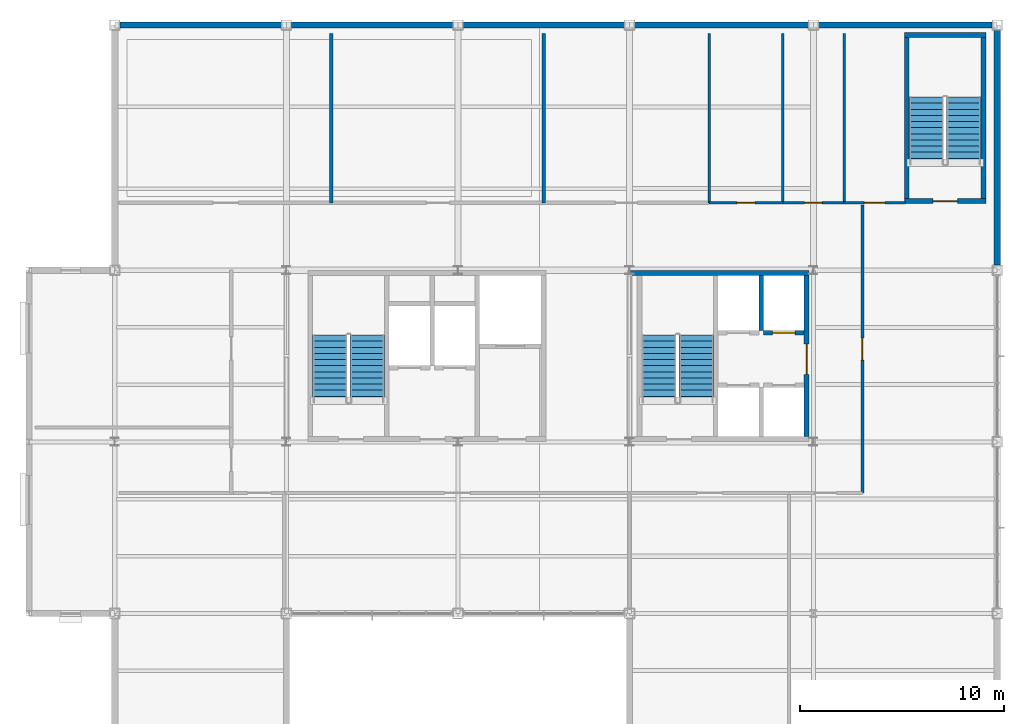
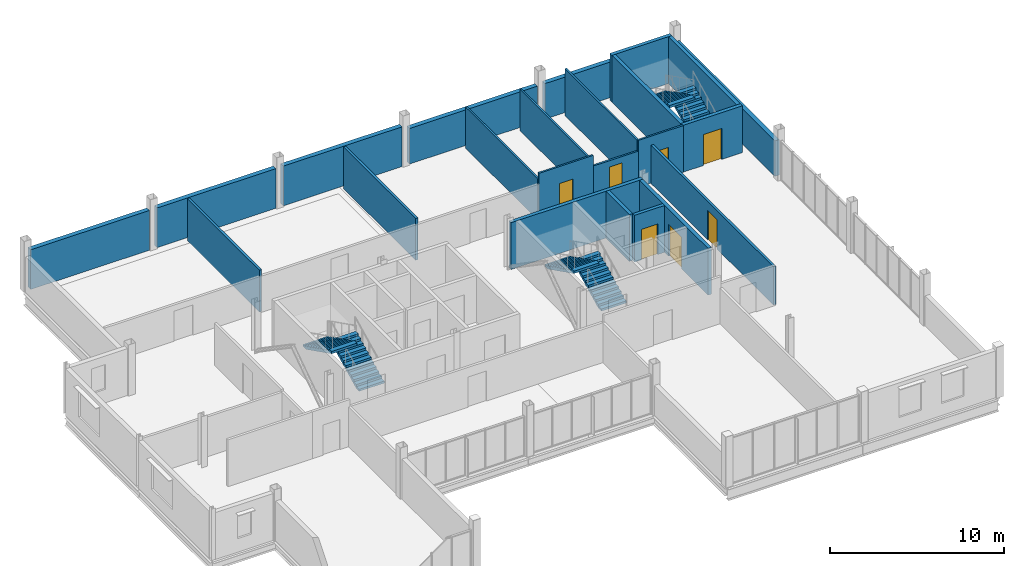
# One storey, part 16 of 19: 23 walls, 7 doors, 6 stair flights, 7 openings, 3 elements without a shape of their own.
"""IFC4 building model written with IfcOpenShell, lengths in metres."""

from ifc_helpers import new_model, si_unit, direction, frame, frame_2d, origin, place, context, subcontext, project, spatial, polyline, rectangle, outline, extrude, material, layer, layer_set, type_object, element, fill, aggregate, save


model = new_model("IFC4")

# Units and contexts
model_context = context("Model", 3, precision=1e-05, world=origin(), true_north=direction((0.0, 1.0)))
body_context = subcontext(model_context, "Body", "Model", "MODEL_VIEW")
ifc_project = project(units=[si_unit("LENGTHUNIT", "METRE"), si_unit("AREAUNIT", "SQUARE_METRE"), si_unit("VOLUMEUNIT", "CUBIC_METRE"), si_unit("PLANEANGLEUNIT", "RADIAN"), si_unit("MASSUNIT", "GRAM", prefix="KILO")], contexts=[model_context])

# Site, building, storey
site_placement = place(None, origin())
site = spatial("IfcSite", under=ifc_project, at=site_placement, CompositionType="ELEMENT")
building_placement = place(site_placement, origin())
building = spatial("IfcBuilding", under=site, at=building_placement, Name="Yukiwa Park Conservatory and Herbarium", CompositionType="ELEMENT")
storey_placement = place(building_placement, frame((0.0, 0.0, 31.800048828125)))
storey = spatial("IfcBuildingStorey", under=building, at=storey_placement, Name="L08", CompositionType="ELEMENT", Elevation=31.800048828125)

# Wall
ifc_material_1 = material(Name="Concrete C40", Category="concrete")
ifc_layer_1 = layer(ifc_material_1, 0.219970703125)
ifc_layer_set_1 = layer_set([ifc_layer_1], Name="Concrete C40")
wall_type_1 = type_object("IfcWallType", Name="WL-CORE-RC220", PredefinedType="SHEAR", material=ifc_layer_set_1)
wall_1_placement = place(storey_placement, frame((156.43994140625, 100.25, 0.0), z_axis=(0.0, 0.0, 1.0), x_axis=(0.0, 1.0, 0.0)))
element("IfcWall", 1, at=wall_1_placement, inside=storey, type_object=wall_type_1, Name="L08 core shear wall 537", PredefinedType="SHEAR", context=body_context, shape_type="SweptSolid", body=[
    extrude(rectangle(XDim=2.699951171875, YDim=0.219970703125, at=frame_2d((1.35009765625, 0.0))), origin(), (0.0, 0.0, 1.0), 3.294921875),
])

# Wall, opening, door
wall_2_placement = place(storey_placement, frame((156.550048828125, 100.139892578125, 0.0), z_axis=(0.0, 0.0, 1.0), x_axis=(1.0, 0.0, 0.0)))
wall_2 = element("IfcWall", 2, at=wall_2_placement, inside=storey, type_object=wall_type_1, Name="L08 core shear wall 539", PredefinedType="SHEAR", context=body_context, shape_type="SweptSolid", body=[
    extrude(rectangle(XDim=2.0, YDim=0.219970703125, at=frame_2d((1.0, 0.0))), origin(), (0.0, 0.0, 1.0), 3.294921875),
])
opening_1_placement = place(wall_2_placement, frame((0.449951171875, 0.0, 0.0)))
opening_1 = element("IfcOpeningElement", 3, at=opening_1_placement, cuts=wall_2, Name="Opening LD-01", PredefinedType="OPENING", context=body_context, shape_type="SweptSolid", body=[
    extrude(rectangle(XDim=1.10009765625, YDim=2.14990234375, at=frame_2d((0.550048828125, 1.074951171875))), frame((0.0, 0.1201171875, 0.0), z_axis=(0.0, -1.0, 0.0), x_axis=(1.0, 0.0, 0.0)), (0.0, 0.0, 1.0), 0.239990234375),
])
ifc_material_2 = material(Name="Steel Q235B", Category="steel")
door_type_1 = type_object("IfcDoorType", Name="DR-LIFT-LD1100", OperationType="SLIDING_TO_LEFT", PredefinedType="DOOR", material=ifc_material_2)
door_1_placement = place(opening_1_placement, origin())
door_1 = element("IfcDoor", 4, at=door_1_placement, inside=storey, type_object=door_type_1, Name="L08 Passenger Lift LP2 sliding landing door", OperationType="SLIDING_TO_LEFT", OverallHeight=2.14990234375, OverallWidth=1.10009765625, PredefinedType="DOOR", context=body_context, shape_type="SweptSolid", body=[
    extrude(rectangle(XDim=1.10009765625, YDim=2.14990234375, at=frame_2d((0.550048828125, 1.074951171875))), frame((0.0, 0.02490234375, 0.0), z_axis=(0.0, -1.0, 0.0), x_axis=(1.0, 0.0, 0.0)), (0.0, 0.0, 1.0), 0.050048828125),
])
fill(opening_1, door_1)

# Wall
ifc_material_3 = material(Name="Concrete C50", Category="concrete")
ifc_layer_2 = layer(ifc_material_3, 0.239990234375)
ifc_layer_set_2 = layer_set([ifc_layer_2], Name="Concrete C50")
wall_type_2 = type_object("IfcWallType", Name="WL-CORE-RC240", PredefinedType="SHEAR", material=ifc_layer_set_2)
wall_3_placement = place(storey_placement, frame((150.02001953125, 103.070068359375, 0.0), z_axis=(0.0, 0.0, 1.0), x_axis=(1.0, 0.0, 0.0)))
element("IfcWall", 5, at=wall_3_placement, inside=storey, type_object=wall_type_2, Name="L08 core shear wall 533", PredefinedType="SHEAR", context=body_context, shape_type="SweptSolid", body=[
    extrude(rectangle(XDim=8.77001953125, YDim=0.239990234375, at=frame_2d((4.385009765625, 0.0))), origin(), (0.0, 0.0, 1.0), 3.294921875),
])

# Wall, opening, door
wall_4_placement = place(storey_placement, frame((158.669921875, 95.050048828125, 0.0), z_axis=(0.0, 0.0, 1.0), x_axis=(0.0, 1.0, 0.0)))
wall_4 = element("IfcWall", 6, at=wall_4_placement, inside=storey, type_object=wall_type_2, Name="L08 core shear wall 536", PredefinedType="SHEAR", context=body_context, shape_type="SweptSolid", body=[
    extrude(rectangle(XDim=7.89990234375, YDim=0.239990234375, at=frame_2d((3.949951171875, 0.0))), origin(), (0.0, 0.0, 1.0), 3.294921875),
])
opening_2_placement = place(wall_4_placement, frame((3.050048828125, 0.0, 0.0)))
opening_2 = element("IfcOpeningElement", 7, at=opening_2_placement, cuts=wall_4, Name="Opening FD-07", PredefinedType="OPENING", context=body_context, shape_type="SweptSolid", body=[
    extrude(rectangle(XDim=1.47998046875, YDim=2.219970703125, at=frame_2d((0.739990234375, 1.10986328125))), frame((0.0, 0.1298828125, 0.0), z_axis=(0.0, -1.0, 0.0), x_axis=(1.0, 0.0, 0.0)), (0.0, 0.0, 1.0), 0.260009765625),
])
ifc_material_4 = material(Name="Steel Q235B", Category="steel")
door_type_2 = type_object("IfcDoorType", Name="DR-FIRE-FD60-1500", OperationType="DOUBLE_DOOR_SINGLE_SWING", PredefinedType="DOOR", material=ifc_material_4)
door_2_placement = place(opening_2_placement, origin())
door_2 = element("IfcDoor", 8, at=door_2_placement, inside=storey, type_object=door_type_2, Name="L08 Tower Passenger Lift Lobby double fire door", OperationType="DOUBLE_DOOR_SINGLE_SWING", OverallHeight=2.219970703125, OverallWidth=1.47998046875, PredefinedType="DOOR", context=body_context, shape_type="SweptSolid", body=[
    extrude(rectangle(XDim=1.47998046875, YDim=2.219970703125, at=frame_2d((0.739990234375, 1.10986328125))), frame((0.0, 0.02490234375, 0.0), z_axis=(0.0, -1.0, 0.0), x_axis=(1.0, 0.0, 0.0)), (0.0, 0.0, 1.0), 0.050048828125),
])
fill(opening_2, door_2)

wall_5_placement = place(storey_placement, frame((163.449951171875, 106.580078125, 0.0), z_axis=(0.0, 0.0, 1.0), x_axis=(1.0, 0.0, 0.0)))
wall_5 = element("IfcWall", 9, at=wall_5_placement, inside=storey, type_object=wall_type_2, Name="L08 core shear wall 543", PredefinedType="SHEAR", context=body_context, shape_type="SweptSolid", body=[
    extrude(rectangle(XDim=3.989990234375, YDim=0.239990234375, at=frame_2d((1.9951171875, 0.0))), origin(), (0.0, 0.0, 1.0), 3.294921875),
])
opening_3_placement = place(wall_5_placement, frame((1.39501953125, 0.0, 0.0)))
opening_3 = element("IfcOpeningElement", 10, at=opening_3_placement, cuts=wall_5, Name="Opening SD-01", PredefinedType="OPENING", context=body_context, shape_type="SweptSolid", body=[
    extrude(rectangle(XDim=1.219970703125, YDim=2.179931640625, at=frame_2d((0.60986328125, 1.08984375))), frame((0.0, 0.1298828125, 0.0), z_axis=(0.0, -1.0, 0.0), x_axis=(1.0, 0.0, 0.0)), (0.0, 0.0, 1.0), 0.260009765625),
])
ifc_material_5 = material(Name="Steel Q235B", Category="steel")
door_type_3 = type_object("IfcDoorType", Name="DR-STAIR-FD90-1200", OperationType="SINGLE_SWING_LEFT", PredefinedType="DOOR", material=ifc_material_5)
door_3_placement = place(opening_3_placement, origin())
door_3 = element("IfcDoor", 11, at=door_3_placement, inside=storey, type_object=door_type_3, Name="L08 Stairwell ST-T3 fire door", OperationType="SINGLE_SWING_LEFT", OverallHeight=2.179931640625, OverallWidth=1.219970703125, PredefinedType="DOOR", context=body_context, shape_type="SweptSolid", body=[
    extrude(rectangle(XDim=1.219970703125, YDim=2.179931640625, at=frame_2d((0.60986328125, 1.08984375))), frame((0.0, 0.02490234375, 0.0), z_axis=(0.0, -1.0, 0.0), x_axis=(1.0, 0.0, 0.0)), (0.0, 0.0, 1.0), 0.050048828125),
])
fill(opening_3, door_3)

# Walls
wall_6_placement = place(storey_placement, frame((163.449951171875, 114.719970703125, 0.0), z_axis=(0.0, 0.0, 1.0), x_axis=(1.0, 0.0, 0.0)))
element("IfcWall", 12, at=wall_6_placement, inside=storey, type_object=wall_type_2, Name="L08 core shear wall 544", PredefinedType="SHEAR", context=body_context, shape_type="SweptSolid", body=[
    extrude(rectangle(XDim=3.989990234375, YDim=0.239990234375, at=frame_2d((1.9951171875, 0.0))), origin(), (0.0, 0.0, 1.0), 3.294921875),
])
for number, where, z_axis, x_axis, name in (
    (13, (163.570068359375, 106.699951171875, 0.0), (0.0, 0.0, 1.0), (0.0, 1.0, 0.0), "L08 core shear wall 545"),
    (14, (167.320068359375, 106.699951171875, 0.0), (0.0, 0.0, 1.0), (0.0, 1.0, 0.0), "L08 core shear wall 546"),
):
    element("IfcWall", number, at=place(storey_placement, frame(where, z_axis=z_axis, x_axis=x_axis)), inside=storey, type_object=wall_type_2, Name=name, PredefinedType="SHEAR", context=body_context, shape_type="SweptSolid", body=[
        extrude(rectangle(XDim=7.900146484375, YDim=0.239990234375, at=frame_2d((3.9501953125, 0.0))), origin(), (0.0, 0.0, 1.0), 3.294921875),
    ])
ifc_material_6 = material(Name="Pale Granite Cladding", Category="masonry")
ifc_layer_3 = layer(ifc_material_6, 0.300048828125)
ifc_layer_set_3 = layer_set([ifc_layer_3], Name="Pale Granite Cladding")
wall_type_3 = type_object("IfcWallType", Name="WL-EXT-GRAN-300", PredefinedType="SOLIDWALL", material=ifc_layer_set_3)
wall_7_placement = place(storey_placement, frame((168.0, 103.449951171875, 0.0), z_axis=(0.0, 0.0, 1.0), x_axis=(0.0, 1.0, 0.0)))
element("IfcWall", 15, at=wall_7_placement, inside=storey, type_object=wall_type_3, Name="L08 exterior envelope wall 325", PredefinedType="SOLIDWALL", context=body_context, shape_type="SweptSolid", body=[
    extrude(rectangle(XDim=11.5, YDim=0.300048828125, at=frame_2d((5.75, 0.0))), origin(), (0.0, 0.0, 1.0), 2.5029296875),
])
for number, where, z_axis, x_axis, name in (
    (16, (167.75, 115.199951171875, 0.0), (0.0, 0.0, 1.0), (-1.0, 0.0, 0.0), "L08 exterior envelope wall 326"),
    (17, (158.75, 115.199951171875, 0.0), (0.0, 0.0, 1.0), (-1.0, 0.0, 0.0), "L08 exterior envelope wall 327"),
):
    element("IfcWall", number, at=place(storey_placement, frame(where, z_axis=z_axis, x_axis=x_axis)), inside=storey, type_object=wall_type_3, Name=name, PredefinedType="SOLIDWALL", context=body_context, shape_type="SweptSolid", body=[
        extrude(rectangle(XDim=8.5, YDim=0.300048828125, at=frame_2d((4.25, 0.0))), origin(), (0.0, 0.0, 1.0), 2.5029296875),
    ])
wall_8_placement = place(storey_placement, frame((149.75, 115.199951171875, 0.0), z_axis=(0.0, 0.0, 1.0), x_axis=(-1.0, 0.0, 0.0)))
element("IfcWall", 18, at=wall_8_placement, inside=storey, type_object=wall_type_3, Name="L08 exterior envelope wall 328", PredefinedType="SOLIDWALL", context=body_context, shape_type="SweptSolid", body=[
    extrude(rectangle(XDim=7.89990234375, YDim=0.300048828125, at=frame_2d((3.949951171875, 0.0))), origin(), (0.0, 0.0, 1.0), 2.794921875),
])
wall_9_placement = place(storey_placement, frame((141.35009765625, 115.199951171875, 0.0), z_axis=(0.0, 0.0, 1.0), x_axis=(-1.0, 0.0, 0.0)))
element("IfcWall", 19, at=wall_9_placement, inside=storey, type_object=wall_type_3, Name="L08 exterior envelope wall 329", PredefinedType="SOLIDWALL", context=body_context, shape_type="SweptSolid", body=[
    extrude(rectangle(XDim=7.900146484375, YDim=0.300048828125, at=frame_2d((3.9501953125, 0.0))), origin(), (0.0, 0.0, 1.0), 2.794921875),
])
wall_10_placement = place(storey_placement, frame((132.949951171875, 115.199951171875, 0.0), z_axis=(0.0, 0.0, 1.0), x_axis=(-1.0, 0.0, 0.0)))
element("IfcWall", 20, at=wall_10_placement, inside=storey, type_object=wall_type_3, Name="L08 exterior envelope wall 330", PredefinedType="SOLIDWALL", context=body_context, shape_type="SweptSolid", body=[
    extrude(rectangle(XDim=7.89990234375, YDim=0.300048828125, at=frame_2d((3.949951171875, 0.0))), origin(), (0.0, 0.0, 1.0), 2.794921875),
])

# Wall, opening, door
ifc_material_7 = material(Name="Gypsum Board Partition", Category="gypsum")
ifc_layer_4 = layer(ifc_material_7, 0.159912109375)
ifc_layer_set_4 = layer_set([ifc_layer_4], Name="Gypsum Board Partition")
wall_type_4 = type_object("IfcWallType", Name="WL-PART-GYP-160", PredefinedType="PARTITIONING", material=ifc_layer_set_4)
wall_11_placement = place(storey_placement, frame((161.39990234375, 92.300048828125, 0.0), z_axis=(0.0, 0.0, 1.0), x_axis=(0.0, 1.0, 0.0)))
wall_11 = element("IfcWall", 21, at=wall_11_placement, inside=storey, type_object=wall_type_4, Name="L08 interior partition wall 553", PredefinedType="PARTITIONING", context=body_context, shape_type="SweptSolid", body=[
    extrude(rectangle(XDim=14.099853515625, YDim=0.159912109375, at=frame_2d((7.0498046875, 0.0))), origin(), (0.0, 0.0, 1.0), 2.695068359375),
])
opening_4_placement = place(wall_11_placement, frame((6.5, 0.0, 0.0)))
opening_4 = element("IfcOpeningElement", 22, at=opening_4_placement, cuts=wall_11, Name="Opening ID-11", PredefinedType="OPENING", context=body_context, shape_type="SweptSolid", body=[
    extrude(rectangle(XDim=1.080078125, YDim=2.080078125, at=frame_2d((0.5400390625, 1.0400390625))), frame((0.0, 0.08984375, 0.0), z_axis=(0.0, -1.0, 0.0), x_axis=(1.0, 0.0, 0.0)), (0.0, 0.0, 1.0), 0.179931640625),
])
ifc_material_8 = material(Name="Charred Larch Cladding", Category="wood")
door_type_4 = type_object("IfcDoorType", Name="DR-INT-1100", OperationType="SINGLE_SWING_RIGHT", PredefinedType="DOOR", material=ifc_material_8)
door_4_placement = place(opening_4_placement, origin())
door_4 = element("IfcDoor", 23, at=door_4_placement, inside=storey, type_object=door_type_4, Name="L08 L08 east room door", OperationType="SINGLE_SWING_RIGHT", OverallHeight=2.080078125, OverallWidth=1.080078125, PredefinedType="DOOR", context=body_context, shape_type="SweptSolid", body=[
    extrude(rectangle(XDim=1.080078125, YDim=2.080078125, at=frame_2d((0.5400390625, 1.0400390625))), frame((0.0, 0.02490234375, 0.0), z_axis=(0.0, -1.0, 0.0), x_axis=(1.0, 0.0, 0.0)), (0.0, 0.0, 1.0), 0.050048828125),
])
fill(opening_4, door_4)

# Walls
for number, where, z_axis, x_axis, name in (
    (24, (135.39990234375, 106.5, 0.0), (0.0, 0.0, 1.0), (0.0, 1.0, 0.0), "L08 interior partition wall 568"),
    (25, (145.800048828125, 106.5, 0.0), (0.0, 0.0, 1.0), (0.0, 1.0, 0.0), "L08 interior partition wall 569"),
):
    element("IfcWall", number, at=place(storey_placement, frame(where, z_axis=z_axis, x_axis=x_axis)), inside=storey, type_object=wall_type_4, Name=name, PredefinedType="PARTITIONING", context=body_context, shape_type="SweptSolid", body=[
        extrude(rectangle(XDim=8.300048828125, YDim=0.159912109375, at=frame_2d((4.14990234375, 0.0))), origin(), (0.0, 0.0, 1.0), 2.945068359375),
    ])

# Wall, opening, door
ifc_material_9 = material(Name="Gypsum Board Partition", Category="gypsum")
ifc_layer_5 = layer(ifc_material_9, 0.1201171875)
ifc_layer_set_5 = layer_set([ifc_layer_5], Name="Gypsum Board Partition")
wall_type_5 = type_object("IfcWallType", Name="WL-PART-WET-150", PredefinedType="PARTITIONING", material=ifc_layer_set_5)
wall_12_placement = place(storey_placement, frame((153.89990234375, 106.5, 0.0), z_axis=(0.0, 0.0, 1.0), x_axis=(1.0, 0.0, 0.0)))
wall_12 = element("IfcWall", 26, at=wall_12_placement, inside=storey, type_object=wall_type_5, Name="L08 interior partition wall 547", PredefinedType="PARTITIONING", context=body_context, shape_type="SweptSolid", body=[
    extrude(rectangle(XDim=3.60009765625, YDim=0.1201171875, at=frame_2d((1.800048828125, 0.0))), origin(), (0.0, 0.0, 1.0), 3.294921875),
])
opening_5_placement = place(wall_12_placement, frame((1.35009765625, 0.0, 0.0)))
opening_5 = element("IfcOpeningElement", 27, at=opening_5_placement, cuts=wall_12, Name="Opening ID-09", PredefinedType="OPENING", context=body_context, shape_type="SweptSolid", body=[
    extrude(rectangle(XDim=0.89990234375, YDim=2.10009765625, at=frame_2d((0.449951171875, 1.050048828125))), frame((0.0, 0.070068359375, 0.0), z_axis=(0.0, -1.0, 0.0), x_axis=(1.0, 0.0, 0.0)), (0.0, 0.0, 1.0), 0.14013671875),
])
ifc_material_10 = material(Name="Charred Larch Cladding", Category="wood")
door_type_5 = type_object("IfcDoorType", Name="DR-INT-900", OperationType="SINGLE_SWING_LEFT", PredefinedType="DOOR", material=ifc_material_10)
door_5_placement = place(opening_5_placement, origin())
door_5 = element("IfcDoor", 28, at=door_5_placement, inside=storey, type_object=door_type_5, Name="L08 Public WC door", OperationType="SINGLE_SWING_LEFT", OverallHeight=2.10009765625, OverallWidth=0.89990234375, PredefinedType="DOOR", context=body_context, shape_type="SweptSolid", body=[
    extrude(rectangle(XDim=0.89990234375, YDim=2.10009765625, at=frame_2d((0.449951171875, 1.050048828125))), frame((0.0, 0.02490234375, 0.0), z_axis=(0.0, -1.0, 0.0), x_axis=(1.0, 0.0, 0.0)), (0.0, 0.0, 1.0), 0.050048828125),
])
fill(opening_5, door_5)

wall_13_placement = place(storey_placement, frame((157.5, 106.5, 0.0), z_axis=(0.0, 0.0, 1.0), x_axis=(1.0, 0.0, 0.0)))
wall_13 = element("IfcWall", 29, at=wall_13_placement, inside=storey, type_object=wall_type_5, Name="L08 interior partition wall 548", PredefinedType="PARTITIONING", context=body_context, shape_type="SweptSolid", body=[
    extrude(rectangle(XDim=3.0, YDim=0.1201171875, at=frame_2d((1.5, 0.0))), origin(), (0.0, 0.0, 1.0), 2.544921875),
])
opening_6_placement = place(wall_13_placement, frame((1.074951171875, 0.0, 0.0)))
opening_6 = element("IfcOpeningElement", 30, at=opening_6_placement, cuts=wall_13, Name="Opening ID-85", PredefinedType="OPENING", context=body_context, shape_type="SweptSolid", body=[
    extrude(rectangle(XDim=0.85009765625, YDim=2.10009765625, at=frame_2d((0.425048828125, 1.050048828125))), frame((0.0, 0.070068359375, 0.0), z_axis=(0.0, -1.0, 0.0), x_axis=(1.0, 0.0, 0.0)), (0.0, 0.0, 1.0), 0.14013671875),
])
ifc_material_11 = material(Name="Charred Larch Cladding", Category="wood")
door_type_6 = type_object("IfcDoorType", Name="DR-INT-850", OperationType="SINGLE_SWING_RIGHT", PredefinedType="DOOR", material=ifc_material_11)
door_6_placement = place(opening_6_placement, origin())
door_6 = element("IfcDoor", 31, at=door_6_placement, inside=storey, type_object=door_type_6, Name="L08 Staff WC door", OperationType="SINGLE_SWING_RIGHT", OverallHeight=2.10009765625, OverallWidth=0.85009765625, PredefinedType="DOOR", context=body_context, shape_type="SweptSolid", body=[
    extrude(rectangle(XDim=0.85009765625, YDim=2.10009765625, at=frame_2d((0.425048828125, 1.050048828125))), frame((0.0, 0.02490234375, 0.0), z_axis=(0.0, -1.0, 0.0), x_axis=(1.0, 0.0, 0.0)), (0.0, 0.0, 1.0), 0.050048828125),
])
fill(opening_6, door_6)

wall_14_placement = place(storey_placement, frame((160.5, 106.5, 0.0), z_axis=(0.0, 0.0, 1.0), x_axis=(1.0, 0.0, 0.0)))
wall_14 = element("IfcWall", 32, at=wall_14_placement, inside=storey, type_object=wall_type_5, Name="L08 interior partition wall 549", PredefinedType="PARTITIONING", context=body_context, shape_type="SweptSolid", body=[
    extrude(rectangle(XDim=3.0, YDim=0.1201171875, at=frame_2d((1.5, 0.0))), origin(), (0.0, 0.0, 1.0), 3.294921875),
])
opening_7_placement = place(wall_14_placement, frame((1.0, 0.0, 0.0)))
opening_7 = element("IfcOpeningElement", 33, at=opening_7_placement, cuts=wall_14, Name="Opening ID-10", PredefinedType="OPENING", context=body_context, shape_type="SweptSolid", body=[
    extrude(rectangle(XDim=1.0, YDim=2.10009765625, at=frame_2d((0.5, 1.050048828125))), frame((0.0, 0.070068359375, 0.0), z_axis=(0.0, -1.0, 0.0), x_axis=(1.0, 0.0, 0.0)), (0.0, 0.0, 1.0), 0.14013671875),
])
ifc_material_12 = material(Name="Charred Larch Cladding", Category="wood")
door_type_7 = type_object("IfcDoorType", Name="DR-ACC-1000", OperationType="SINGLE_SWING_LEFT", PredefinedType="DOOR", material=ifc_material_12)
door_7_placement = place(opening_7_placement, origin())
door_7 = element("IfcDoor", 34, at=door_7_placement, inside=storey, type_object=door_type_7, Name="L08 Accessible WC door", OperationType="SINGLE_SWING_LEFT", OverallHeight=2.10009765625, OverallWidth=1.0, PredefinedType="DOOR", context=body_context, shape_type="SweptSolid", body=[
    extrude(rectangle(XDim=1.0, YDim=2.10009765625, at=frame_2d((0.5, 1.050048828125))), frame((0.0, 0.02490234375, 0.0), z_axis=(0.0, -1.0, 0.0), x_axis=(1.0, 0.0, 0.0)), (0.0, 0.0, 1.0), 0.050048828125),
])
fill(opening_7, door_7)

# Walls
for number, where, z_axis, x_axis, name in (
    (35, (153.89990234375, 106.5, 0.0), (0.0, 0.0, 1.0), (0.0, 1.0, 0.0), "L08 interior partition wall 550"),
    (36, (157.5, 106.5, 0.0), (0.0, 0.0, 1.0), (0.0, 1.0, 0.0), "L08 interior partition wall 551"),
):
    element("IfcWall", number, at=place(storey_placement, frame(where, z_axis=z_axis, x_axis=x_axis)), inside=storey, type_object=wall_type_5, Name=name, PredefinedType="PARTITIONING", context=body_context, shape_type="SweptSolid", body=[
        extrude(rectangle(XDim=8.300048828125, YDim=0.1201171875, at=frame_2d((4.14990234375, 0.0))), origin(), (0.0, 0.0, 1.0), 2.89501953125),
    ])
wall_15_placement = place(storey_placement, frame((160.5, 106.5, 0.0), z_axis=(0.0, 0.0, 1.0), x_axis=(0.0, 1.0, 0.0)))
element("IfcWall", 37, at=wall_15_placement, inside=storey, type_object=wall_type_5, Name="L08 interior partition wall 552", PredefinedType="PARTITIONING", context=body_context, shape_type="SweptSolid", body=[
    extrude(rectangle(XDim=8.300048828125, YDim=0.1201171875, at=frame_2d((4.14990234375, 0.0))), origin(), (0.0, 0.0, 1.0), 3.294921875),
])

# Stair, stair flights
ifc_material_13 = material(Name="Concrete C40", Category="concrete")
stair_type_1 = type_object("IfcStairType", Name="ST-DOGLEG-ST-T1", PredefinedType="HALF_TURN_STAIR", material=ifc_material_13)
stair_1_placement = place(storey_placement, origin())
stair_1 = element("IfcStair", 38, at=stair_1_placement, inside=storey, type_object=stair_type_1, Name="L08 Protected Smoke-Proof Stair ST-T1", PredefinedType="HALF_TURN_STAIR")
ifc_material_14 = material(Name="Concrete C40", Category="concrete")
stair_flight_type = type_object("IfcStairFlightType", Name="STF-RC-1680", PredefinedType="STRAIGHT", material=ifc_material_14)
stair_flight_1_placement = place(storey_placement, frame((137.159912109375, 96.72998046875, 0.0), z_axis=(0.0, 0.0, 1.0), x_axis=(0.0, 1.0, 0.0)))
stair_flight_1 = element("IfcStairFlight", 39, at=stair_flight_1_placement, type_object=stair_flight_type, Name="ST-T1 flight 1", NumberOfRisers=12, NumberOfTreads=11, PredefinedType="STRAIGHT", RiserHeight=0.15, TreadLength=0.3, context=body_context, shape_type="SweptSolid", body=[
    extrude(outline(polyline([(0.0, 0.0), (0.0, 0.14990234375), (0.300048828125, 0.14990234375), (0.300048828125, 0.300048828125), (0.60009765625, 0.300048828125), (0.60009765625, 0.449951171875), (0.89990234375, 0.449951171875), (0.89990234375, 0.60009765625), (1.199951171875, 0.60009765625), (1.199951171875, 0.75), (1.5, 0.75), (1.5, 0.89990234375), (1.800048828125, 0.89990234375), (1.800048828125, 1.050048828125), (2.10009765625, 1.050048828125), (2.10009765625, 1.199951171875), (2.39990234375, 1.199951171875), (2.39990234375, 1.35009765625), (2.699951171875, 1.35009765625), (2.699951171875, 1.5), (3.0, 1.5), (3.0, 1.64990234375), (3.300048828125, 1.64990234375), (3.300048828125, 1.800048828125), (3.300048828125, 1.482421875), (0.335205078125, 0.0), (0.0, 0.0)])), frame((0.0, 0.83984375, 0.0), z_axis=(0.0, -1.0, 0.0), x_axis=(1.0, 0.0, 0.0)), (0.0, 0.0, 1.0), 1.679931640625),
])
stair_flight_2_placement = place(storey_placement, frame((135.330078125, 100.030029296875, 1.800048828125), z_axis=(0.0, 0.0, 1.0), x_axis=(0.0, -1.0, 0.0)))
stair_flight_2 = element("IfcStairFlight", 40, at=stair_flight_2_placement, type_object=stair_flight_type, Name="ST-T1 flight 2", NumberOfRisers=12, NumberOfTreads=11, PredefinedType="STRAIGHT", RiserHeight=0.15, TreadLength=0.3, context=body_context, shape_type="SweptSolid", body=[
    extrude(outline(polyline([(0.0, 0.0), (0.0, 0.14990234375), (0.300048828125, 0.14990234375), (0.300048828125, 0.300048828125), (0.60009765625, 0.300048828125), (0.60009765625, 0.449951171875), (0.89990234375, 0.449951171875), (0.89990234375, 0.60009765625), (1.199951171875, 0.60009765625), (1.199951171875, 0.75), (1.5, 0.75), (1.5, 0.89990234375), (1.800048828125, 0.89990234375), (1.800048828125, 1.050048828125), (2.10009765625, 1.050048828125), (2.10009765625, 1.199951171875), (2.39990234375, 1.199951171875), (2.39990234375, 1.35009765625), (2.699951171875, 1.35009765625), (2.699951171875, 1.5), (3.0, 1.5), (3.0, 1.64990234375), (3.300048828125, 1.64990234375), (3.300048828125, 1.800048828125), (3.300048828125, 1.482421875), (0.335205078125, 0.0), (0.0, 0.0)])), frame((0.0, 0.83984375, 0.0), z_axis=(0.0, -1.0, 0.0), x_axis=(1.0, 0.0, 0.0)), (0.0, 0.0, 1.0), 1.679931640625),
])
aggregate(stair_1, [stair_flight_1, stair_flight_2])

ifc_material_15 = material(Name="Concrete C40", Category="concrete")
stair_type_2 = type_object("IfcStairType", Name="ST-DOGLEG-ST-T2", PredefinedType="HALF_TURN_STAIR", material=ifc_material_15)
stair_2_placement = place(storey_placement, origin())
stair_2 = element("IfcStair", 41, at=stair_2_placement, inside=storey, type_object=stair_type_2, Name="L08 Protected Smoke-Proof Stair ST-T2", PredefinedType="HALF_TURN_STAIR")
stair_flight_3_placement = place(storey_placement, frame((153.27001953125, 96.72998046875, 0.0), z_axis=(0.0, 0.0, 1.0), x_axis=(0.0, 1.0, 0.0)))
stair_flight_3 = element("IfcStairFlight", 42, at=stair_flight_3_placement, type_object=stair_flight_type, Name="ST-T2 flight 1", NumberOfRisers=12, NumberOfTreads=11, PredefinedType="STRAIGHT", RiserHeight=0.15, TreadLength=0.3, context=body_context, shape_type="SweptSolid", body=[
    extrude(outline(polyline([(0.0, 0.0), (0.0, 0.14990234375), (0.300048828125, 0.14990234375), (0.300048828125, 0.300048828125), (0.60009765625, 0.300048828125), (0.60009765625, 0.449951171875), (0.89990234375, 0.449951171875), (0.89990234375, 0.60009765625), (1.199951171875, 0.60009765625), (1.199951171875, 0.75), (1.5, 0.75), (1.5, 0.89990234375), (1.800048828125, 0.89990234375), (1.800048828125, 1.050048828125), (2.10009765625, 1.050048828125), (2.10009765625, 1.199951171875), (2.39990234375, 1.199951171875), (2.39990234375, 1.35009765625), (2.699951171875, 1.35009765625), (2.699951171875, 1.5), (3.0, 1.5), (3.0, 1.64990234375), (3.300048828125, 1.64990234375), (3.300048828125, 1.800048828125), (3.300048828125, 1.482421875), (0.335205078125, 0.0), (0.0, 0.0)])), frame((0.0, 0.83984375, 0.0), z_axis=(0.0, -1.0, 0.0), x_axis=(1.0, 0.0, 0.0)), (0.0, 0.0, 1.0), 1.679931640625),
])
stair_flight_4_placement = place(storey_placement, frame((151.43994140625, 100.030029296875, 1.800048828125), z_axis=(0.0, 0.0, 1.0), x_axis=(0.0, -1.0, 0.0)))
stair_flight_4 = element("IfcStairFlight", 43, at=stair_flight_4_placement, type_object=stair_flight_type, Name="ST-T2 flight 2", NumberOfRisers=12, NumberOfTreads=11, PredefinedType="STRAIGHT", RiserHeight=0.15, TreadLength=0.3, context=body_context, shape_type="SweptSolid", body=[
    extrude(outline(polyline([(0.0, 0.0), (0.0, 0.14990234375), (0.300048828125, 0.14990234375), (0.300048828125, 0.300048828125), (0.60009765625, 0.300048828125), (0.60009765625, 0.449951171875), (0.89990234375, 0.449951171875), (0.89990234375, 0.60009765625), (1.199951171875, 0.60009765625), (1.199951171875, 0.75), (1.5, 0.75), (1.5, 0.89990234375), (1.800048828125, 0.89990234375), (1.800048828125, 1.050048828125), (2.10009765625, 1.050048828125), (2.10009765625, 1.199951171875), (2.39990234375, 1.199951171875), (2.39990234375, 1.35009765625), (2.699951171875, 1.35009765625), (2.699951171875, 1.5), (3.0, 1.5), (3.0, 1.64990234375), (3.300048828125, 1.64990234375), (3.300048828125, 1.800048828125), (3.300048828125, 1.482421875), (0.335205078125, 0.0), (0.0, 0.0)])), frame((0.0, 0.83984375, 0.0), z_axis=(0.0, -1.0, 0.0), x_axis=(1.0, 0.0, 0.0)), (0.0, 0.0, 1.0), 1.679931640625),
])
aggregate(stair_2, [stair_flight_3, stair_flight_4])

ifc_material_16 = material(Name="Concrete C40", Category="concrete")
stair_type_3 = type_object("IfcStairType", Name="ST-DOGLEG-ST-T3", PredefinedType="HALF_TURN_STAIR", material=ifc_material_16)
stair_3_placement = place(storey_placement, origin())
stair_3 = element("IfcStair", 44, at=stair_3_placement, inside=storey, type_object=stair_type_3, Name="L08 Protected Smoke-Proof Stair ST-T3", PredefinedType="HALF_TURN_STAIR")
stair_flight_5_placement = place(storey_placement, frame((166.360107421875, 108.3798828125, 0.0), z_axis=(0.0, 0.0, 1.0), x_axis=(0.0, 1.0, 0.0)))
stair_flight_5 = element("IfcStairFlight", 45, at=stair_flight_5_placement, type_object=stair_flight_type, Name="ST-T3 flight 1", NumberOfRisers=12, NumberOfTreads=11, PredefinedType="STRAIGHT", RiserHeight=0.15, TreadLength=0.3, context=body_context, shape_type="SweptSolid", body=[
    extrude(outline(polyline([(0.0, 0.0), (0.0, 0.14990234375), (0.300048828125, 0.14990234375), (0.300048828125, 0.300048828125), (0.60009765625, 0.300048828125), (0.60009765625, 0.449951171875), (0.89990234375, 0.449951171875), (0.89990234375, 0.60009765625), (1.199951171875, 0.60009765625), (1.199951171875, 0.75), (1.5, 0.75), (1.5, 0.89990234375), (1.800048828125, 0.89990234375), (1.800048828125, 1.050048828125), (2.10009765625, 1.050048828125), (2.10009765625, 1.199951171875), (2.39990234375, 1.199951171875), (2.39990234375, 1.35009765625), (2.699951171875, 1.35009765625), (2.699951171875, 1.5), (3.0, 1.5), (3.0, 1.64990234375), (3.300048828125, 1.64990234375), (3.300048828125, 1.800048828125), (3.300048828125, 1.482421875), (0.335205078125, 0.0), (0.0, 0.0)])), frame((0.0, 0.83984375, 0.0), z_axis=(0.0, -1.0, 0.0), x_axis=(1.0, 0.0, 0.0)), (0.0, 0.0, 1.0), 1.679931640625),
])
stair_flight_6_placement = place(storey_placement, frame((164.530029296875, 111.679931640625, 1.800048828125), z_axis=(0.0, 0.0, 1.0), x_axis=(0.0, -1.0, 0.0)))
stair_flight_6 = element("IfcStairFlight", 46, at=stair_flight_6_placement, type_object=stair_flight_type, Name="ST-T3 flight 2", NumberOfRisers=12, NumberOfTreads=11, PredefinedType="STRAIGHT", RiserHeight=0.15, TreadLength=0.3, context=body_context, shape_type="SweptSolid", body=[
    extrude(outline(polyline([(0.0, 0.0), (0.0, 0.14990234375), (0.300048828125, 0.14990234375), (0.300048828125, 0.300048828125), (0.60009765625, 0.300048828125), (0.60009765625, 0.449951171875), (0.89990234375, 0.449951171875), (0.89990234375, 0.60009765625), (1.199951171875, 0.60009765625), (1.199951171875, 0.75), (1.5, 0.75), (1.5, 0.89990234375), (1.800048828125, 0.89990234375), (1.800048828125, 1.050048828125), (2.10009765625, 1.050048828125), (2.10009765625, 1.199951171875), (2.39990234375, 1.199951171875), (2.39990234375, 1.35009765625), (2.699951171875, 1.35009765625), (2.699951171875, 1.5), (3.0, 1.5), (3.0, 1.64990234375), (3.300048828125, 1.64990234375), (3.300048828125, 1.800048828125), (3.300048828125, 1.482421875), (0.335205078125, 0.0), (0.0, 0.0)])), frame((0.0, 0.83984375, 0.0), z_axis=(0.0, -1.0, 0.0), x_axis=(1.0, 0.0, 0.0)), (0.0, 0.0, 1.0), 1.679931640625),
])
aggregate(stair_3, [stair_flight_5, stair_flight_6])

save(model, "model.ifc")
